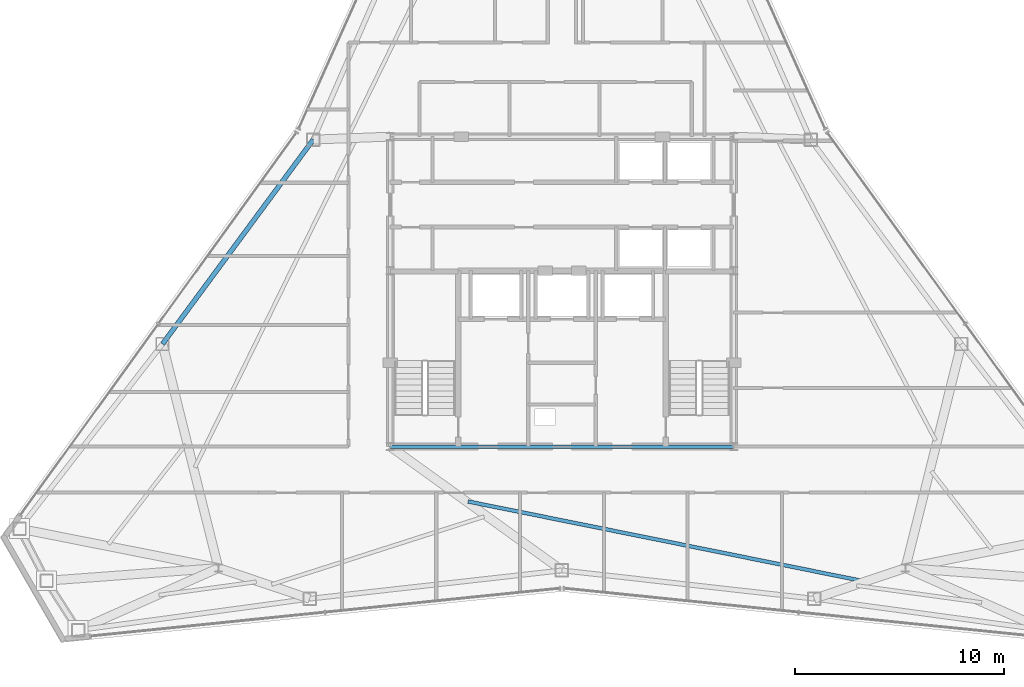
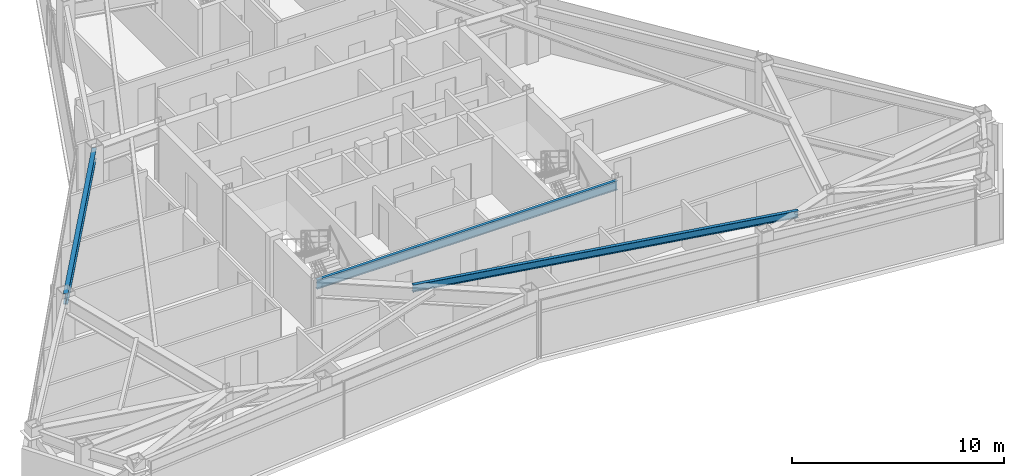
# One storey, part 4 of 12: 3 beams.
"""IFC4 building model written with IfcOpenShell, lengths in metres."""

from ifc_helpers import new_model, si_unit, direction, frame, origin, origin_2d, place, context, subcontext, project, spatial, i_section, extrude, material, material_profile, profile_set, type_object, element, save


model = new_model("IFC4")

# Units and contexts
model_context = context("Model", 3, precision=1e-05, world=origin(), true_north=direction((0.0, 1.0)))
body_context = subcontext(model_context, "Body", "Model", "MODEL_VIEW")
ifc_project = project(units=[si_unit("LENGTHUNIT", "METRE"), si_unit("AREAUNIT", "SQUARE_METRE"), si_unit("VOLUMEUNIT", "CUBIC_METRE"), si_unit("PLANEANGLEUNIT", "RADIAN"), si_unit("MASSUNIT", "GRAM", prefix="KILO")], contexts=[model_context])

# Site, building, storey
site_placement = place(None, origin())
site = spatial("IfcSite", under=ifc_project, at=site_placement, CompositionType="ELEMENT")
building_placement = place(site_placement, origin())
building = spatial("IfcBuilding", under=site, at=building_placement, Name="Varakhsha Concourse Tower", CompositionType="ELEMENT")
storey_placement = place(building_placement, frame((0.0, 0.0, 258.5)))
storey = spatial("IfcBuildingStorey", under=building, at=storey_placement, Name="L73", CompositionType="ELEMENT", Elevation=258.5)

# Beams
ifc_material = material(Name="Structural Steel ASTM A992 Grade 50", Category="steel")
ifc_material_profile_1 = material_profile(ifc_material, i_section(OverallWidth=0.177978515625, OverallDepth=0.406982421875, WebThickness=0.008056640625, FlangeThickness=0.012939453125, at=origin_2d()), Name="W16X40")
ifc_profile_set_1 = profile_set([ifc_material_profile_1], Name="Structural Steel ASTM A992 Grade 50")
beam_type_1 = type_object("IfcBeamType", Name="BM-JST-W16X40", PredefinedType="JOIST", material=ifc_profile_set_1)
beam_1_placement = place(storey_placement, frame((35.515869140625, 13.77734375, 3.04638671875), z_axis=(0.980297103214, -0.197528705334, 0.0), x_axis=(0.197528705334, 0.980297103214, 0.0)))
element("IfcBeam", 1, at=beam_1_placement, inside=storey, type_object=beam_type_1, Name="BM-TJST-L73-11", PredefinedType="JOIST", context=body_context, shape_type="SweptSolid", body=[
    extrude(i_section(OverallWidth=0.177978515625, OverallDepth=0.406982421875, WebThickness=0.008056640625, FlangeThickness=0.012939453125, at=origin_2d()), origin(), (0.0, 0.0, 1.0), 19.24169921875),
])
ifc_material_profile_2 = material_profile(ifc_material, i_section(OverallWidth=0.1669921875, OverallDepth=0.534912109375, WebThickness=0.010009765625, FlangeThickness=0.01708984375, at=origin_2d()), Name="W21X57")
ifc_profile_set_2 = profile_set([ifc_material_profile_2], Name="Structural Steel ASTM A992 Grade 50")
beam_type_2 = type_object("IfcBeamType", Name="BM-RAD-W21X57", PredefinedType="BEAM", material=ifc_profile_set_2)
beam_2_placement = place(storey_placement, frame((31.800048828125, 16.39990234375, 2.982421875), z_axis=(1.0, 0.0, 0.0), x_axis=(0.0, 1.0, 0.0)))
element("IfcBeam", 2, at=beam_2_placement, inside=storey, type_object=beam_type_2, Name="BM-TCORE-L73-CS", PredefinedType="BEAM", context=body_context, shape_type="SweptSolid", body=[
    extrude(i_section(OverallWidth=0.1669921875, OverallDepth=0.534912109375, WebThickness=0.010009765625, FlangeThickness=0.01708984375, at=origin_2d()), origin(), (0.0, 0.0, 1.0), 16.39990234375),
])
ifc_material_profile_3 = material_profile(ifc_material, i_section(OverallWidth=0.22900390625, OverallDepth=0.612060546875, WebThickness=0.011962890625, FlangeThickness=0.02001953125, at=origin_2d()), Name="W24X84")
ifc_profile_set_3 = profile_set([ifc_material_profile_3], Name="Structural Steel ASTM A992 Grade 50")
beam_type_3 = type_object("IfcBeamType", Name="BM-SPAN-W24X84", PredefinedType="SPANDREL", material=ifc_profile_set_3)
beam_3_placement = place(storey_placement, frame((28.125732421875, 31.0556640625, 2.944091796875), z_axis=(-0.593635055484, -0.804734379097, 0.0), x_axis=(0.804734379097, -0.593635055484, 0.0)))
element("IfcBeam", 3, at=beam_3_placement, inside=storey, type_object=beam_type_3, Name="BM-SPAN-L73-05", PredefinedType="SPANDREL", context=body_context, shape_type="SweptSolid", body=[
    extrude(i_section(OverallWidth=0.22900390625, OverallDepth=0.612060546875, WebThickness=0.011962890625, FlangeThickness=0.02001953125, at=origin_2d()), origin(), (0.0, 0.0, 1.0), 12.126220703125),
])

save(model, "model.ifc")
